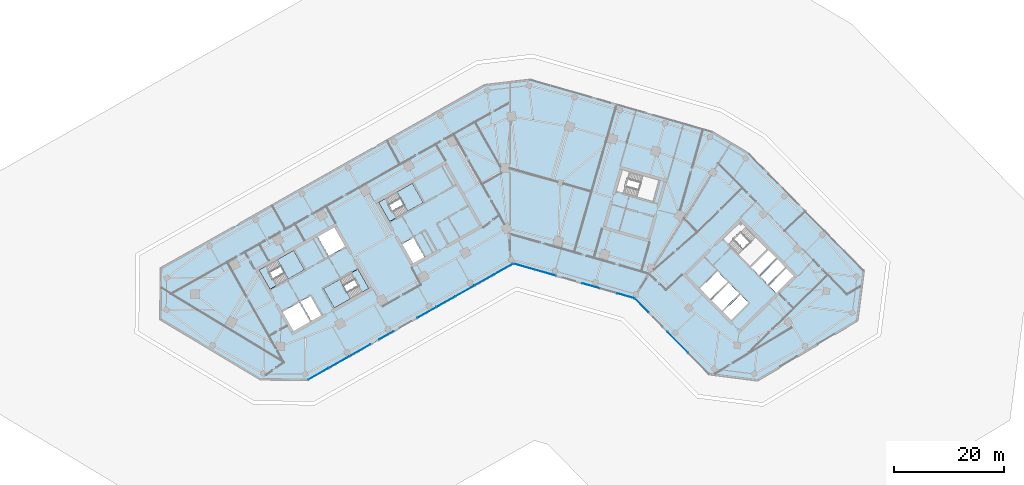
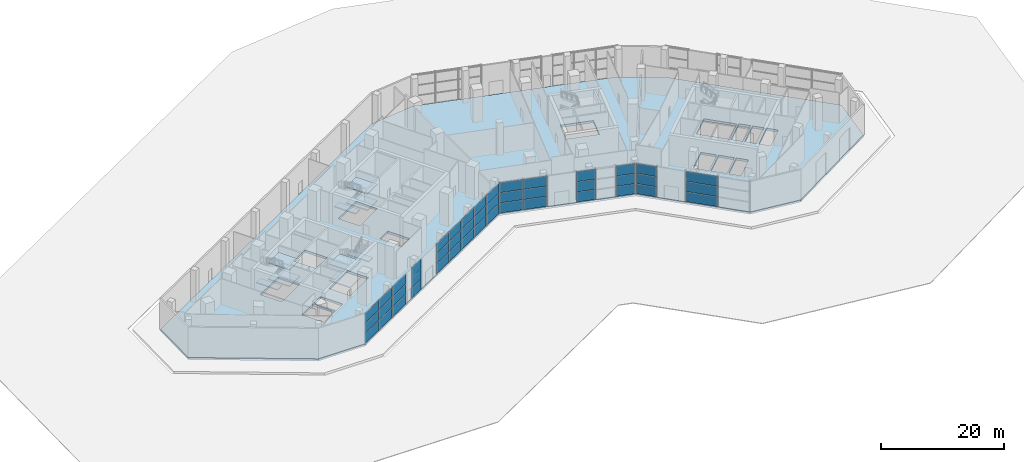
# One storey, part 10 of 22: 45 plates, 10 slabs, 10 elements without a shape of their own.
"""IFC4 building model written with IfcOpenShell, lengths in metres."""

from ifc_helpers import new_model, si_unit, direction, frame, origin, origin_2d, place, context, subcontext, project, spatial, polyline, rectangle, outline, extrude, material, layer, layer_set, type_object, element, aggregate, save


model = new_model("IFC4")

# Units and contexts
model_context = context("Model", 3, precision=1e-05, world=origin(), true_north=direction((0.0, 1.0)))
body_context = subcontext(model_context, "Body", "Model", "MODEL_VIEW")
ifc_project = project(units=[si_unit("LENGTHUNIT", "METRE"), si_unit("AREAUNIT", "SQUARE_METRE"), si_unit("VOLUMEUNIT", "CUBIC_METRE"), si_unit("PLANEANGLEUNIT", "RADIAN"), si_unit("MASSUNIT", "GRAM", prefix="KILO")], contexts=[model_context])

# Site, building, storey
site_placement = place(None, origin())
site = spatial("IfcSite", under=ifc_project, at=site_placement, CompositionType="ELEMENT")
building_placement = place(site_placement, origin())
building = spatial("IfcBuilding", under=site, at=building_placement, Name="Binnacle Exchange Tower", CompositionType="ELEMENT")
storey_placement = place(building_placement, origin())
storey = spatial("IfcBuildingStorey", under=building, at=storey_placement, Name="L00", CompositionType="ELEMENT", Elevation=0.0)

# Curtain wall, plates
ifc_material_1 = material(Name="Bronze anodised aluminium frame", Category="aluminium")
curtain_wall_type = type_object("IfcCurtainWallType", Name="External wall - curtain wall waterfront lobby", PredefinedType="NOTDEFINED", material=ifc_material_1)
curtain_wall_1_placement = place(storey_placement, origin())
curtain_wall_1 = element("IfcCurtainWall", 1, at=curtain_wall_1_placement, inside=storey, type_object=curtain_wall_type, Name="External wall curtain wall CW1-P06-1 L00", PredefinedType="NOTDEFINED")
ifc_material_2 = material(Name="Glass", Category="glass")
ifc_layer_1 = layer(ifc_material_2, 0.0439453125)
ifc_layer_set_1 = layer_set([ifc_layer_1], Name="CW1 GLASS PANEL 44")
plate_type = type_object("IfcPlateType", Name="CW1 GLASS PANEL 44", PredefinedType="CURTAIN_PANEL", material=ifc_layer_set_1)
plate_1_placement = place(storey_placement, frame((-34.95703125, 22.4775390625, 0.06005859375), z_axis=(0.0, 0.0, 1.0), x_axis=(0.870355581136, 0.492423763019, 0.0)))
plate_1 = element("IfcPlate", 2, at=plate_1_placement, type_object=plate_type, Name="CW1-P06-1 panel 1.1", PredefinedType="CURTAIN_PANEL", context=body_context, shape_type="SweptSolid", body=[
    extrude(rectangle(XDim=4.26904296875, YDim=0.0439453125, at=origin_2d()), origin(), (0.0, 0.0, 1.0), 1.9599609375),
])
plate_2_placement = place(storey_placement, frame((-34.95703125, 22.4775390625, 2.080078125), z_axis=(0.0, 0.0, 1.0), x_axis=(0.870355581136, 0.492423763019, 0.0)))
plate_2 = element("IfcPlate", 3, at=plate_2_placement, type_object=plate_type, Name="CW1-P06-1 panel 1.2", PredefinedType="CURTAIN_PANEL", context=body_context, shape_type="SweptSolid", body=[
    extrude(rectangle(XDim=4.26904296875, YDim=0.0439453125, at=origin_2d()), origin(), (0.0, 0.0, 1.0), 1.989990234375),
])
plate_3_placement = place(storey_placement, frame((-34.95703125, 22.4775390625, 4.130126953125), z_axis=(0.0, 0.0, 1.0), x_axis=(0.870355581136, 0.492423763019, 0.0)))
plate_3 = element("IfcPlate", 4, at=plate_3_placement, type_object=plate_type, Name="CW1-P06-1 panel 1.3", PredefinedType="CURTAIN_PANEL", context=body_context, shape_type="SweptSolid", body=[
    extrude(rectangle(XDim=4.26904296875, YDim=0.0439453125, at=origin_2d()), origin(), (0.0, 0.0, 1.0), 1.9599609375),
])
plate_4_placement = place(storey_placement, frame((-31.154296875, 24.62890625, 0.06005859375), z_axis=(0.0, 0.0, 1.0), x_axis=(0.870355581136, 0.492423763019, 0.0)))
plate_4 = element("IfcPlate", 5, at=plate_4_placement, type_object=plate_type, Name="CW1-P06-1 panel 2.1", PredefinedType="CURTAIN_PANEL", context=body_context, shape_type="SweptSolid", body=[
    extrude(rectangle(XDim=4.30908203125, YDim=0.0439453125, at=origin_2d()), origin(), (0.0, 0.0, 1.0), 1.9599609375),
])
plate_5_placement = place(storey_placement, frame((-31.154296875, 24.62890625, 2.080078125), z_axis=(0.0, 0.0, 1.0), x_axis=(0.870355581136, 0.492423763019, 0.0)))
plate_5 = element("IfcPlate", 6, at=plate_5_placement, type_object=plate_type, Name="CW1-P06-1 panel 2.2", PredefinedType="CURTAIN_PANEL", context=body_context, shape_type="SweptSolid", body=[
    extrude(rectangle(XDim=4.30908203125, YDim=0.0439453125, at=origin_2d()), origin(), (0.0, 0.0, 1.0), 1.989990234375),
])
plate_6_placement = place(storey_placement, frame((-31.154296875, 24.62890625, 4.130126953125), z_axis=(0.0, 0.0, 1.0), x_axis=(0.870355581136, 0.492423763019, 0.0)))
plate_6 = element("IfcPlate", 7, at=plate_6_placement, type_object=plate_type, Name="CW1-P06-1 panel 2.3", PredefinedType="CURTAIN_PANEL", context=body_context, shape_type="SweptSolid", body=[
    extrude(rectangle(XDim=4.30908203125, YDim=0.0439453125, at=origin_2d()), origin(), (0.0, 0.0, 1.0), 1.9599609375),
])
plate_7_placement = place(storey_placement, frame((-27.351806640625, 26.7802734375, 0.06005859375), z_axis=(0.0, 0.0, 1.0), x_axis=(0.870355581136, 0.492423763019, 0.0)))
plate_7 = element("IfcPlate", 8, at=plate_7_placement, type_object=plate_type, Name="CW1-P06-1 panel 3.1", PredefinedType="CURTAIN_PANEL", context=body_context, shape_type="SweptSolid", body=[
    extrude(rectangle(XDim=4.26904296875, YDim=0.0439453125, at=origin_2d()), origin(), (0.0, 0.0, 1.0), 1.9599609375),
])
plate_8_placement = place(storey_placement, frame((-27.351806640625, 26.7802734375, 2.080078125), z_axis=(0.0, 0.0, 1.0), x_axis=(0.870355581136, 0.492423763019, 0.0)))
plate_8 = element("IfcPlate", 9, at=plate_8_placement, type_object=plate_type, Name="CW1-P06-1 panel 3.2", PredefinedType="CURTAIN_PANEL", context=body_context, shape_type="SweptSolid", body=[
    extrude(rectangle(XDim=4.26904296875, YDim=0.0439453125, at=origin_2d()), origin(), (0.0, 0.0, 1.0), 1.989990234375),
])
plate_9_placement = place(storey_placement, frame((-27.351806640625, 26.7802734375, 4.130126953125), z_axis=(0.0, 0.0, 1.0), x_axis=(0.870355581136, 0.492423763019, 0.0)))
plate_9 = element("IfcPlate", 10, at=plate_9_placement, type_object=plate_type, Name="CW1-P06-1 panel 3.3", PredefinedType="CURTAIN_PANEL", context=body_context, shape_type="SweptSolid", body=[
    extrude(rectangle(XDim=4.26904296875, YDim=0.0439453125, at=origin_2d()), origin(), (0.0, 0.0, 1.0), 1.9599609375),
])
aggregate(curtain_wall_1, [plate_1, plate_2, plate_3, plate_4, plate_5, plate_6, plate_7, plate_8, plate_9])

curtain_wall_2_placement = place(storey_placement, origin())
curtain_wall_2 = element("IfcCurtainWall", 11, at=curtain_wall_2_placement, inside=storey, type_object=curtain_wall_type, Name="External wall curtain wall CW1-P06-2 L00", PredefinedType="NOTDEFINED")
plate_10_placement = place(storey_placement, frame((-22.485107421875, 29.53369140625, 0.06005859375), z_axis=(0.0, 0.0, 1.0), x_axis=(0.870355581222, 0.492423762867, 0.0)))
plate_10 = element("IfcPlate", 12, at=plate_10_placement, type_object=plate_type, Name="CW1-P06-2 panel 1.1", PredefinedType="CURTAIN_PANEL", context=body_context, shape_type="SweptSolid", body=[
    extrude(rectangle(XDim=2.994140625, YDim=0.0439453125, at=origin_2d()), origin(), (0.0, 0.0, 1.0), 1.9599609375),
])
plate_11_placement = place(storey_placement, frame((-22.485107421875, 29.53369140625, 2.080078125), z_axis=(0.0, 0.0, 1.0), x_axis=(0.870355581222, 0.492423762867, 0.0)))
plate_11 = element("IfcPlate", 13, at=plate_11_placement, type_object=plate_type, Name="CW1-P06-2 panel 1.2", PredefinedType="CURTAIN_PANEL", context=body_context, shape_type="SweptSolid", body=[
    extrude(rectangle(XDim=2.994140625, YDim=0.0439453125, at=origin_2d()), origin(), (0.0, 0.0, 1.0), 1.989990234375),
])
plate_12_placement = place(storey_placement, frame((-22.485107421875, 29.53369140625, 4.130126953125), z_axis=(0.0, 0.0, 1.0), x_axis=(0.870355581222, 0.492423762867, 0.0)))
plate_12 = element("IfcPlate", 14, at=plate_12_placement, type_object=plate_type, Name="CW1-P06-2 panel 1.3", PredefinedType="CURTAIN_PANEL", context=body_context, shape_type="SweptSolid", body=[
    extrude(rectangle(XDim=2.994140625, YDim=0.0439453125, at=origin_2d()), origin(), (0.0, 0.0, 1.0), 1.9599609375),
])
aggregate(curtain_wall_2, [plate_10, plate_11, plate_12])

curtain_wall_3_placement = place(storey_placement, origin())
curtain_wall_3 = element("IfcCurtainWall", 15, at=curtain_wall_3_placement, inside=storey, type_object=curtain_wall_type, Name="External wall curtain wall CW1-P06-3 L00", PredefinedType="NOTDEFINED")
plate_13_placement = place(storey_placement, frame((-15.16455078125, 33.675537109375, 0.06005859375), z_axis=(0.0, 0.0, 1.0), x_axis=(0.870355581144, 0.492423763004, 0.0)))
plate_13 = element("IfcPlate", 16, at=plate_13_placement, type_object=plate_type, Name="CW1-P06-3 panel 1.1", PredefinedType="CURTAIN_PANEL", context=body_context, shape_type="SweptSolid", body=[
    extrude(rectangle(XDim=3.907470703125, YDim=0.0439453125, at=origin_2d()), origin(), (0.0, 0.0, 1.0), 1.9599609375),
])
plate_14_placement = place(storey_placement, frame((-15.16455078125, 33.675537109375, 2.080078125), z_axis=(0.0, 0.0, 1.0), x_axis=(0.870355581144, 0.492423763004, 0.0)))
plate_14 = element("IfcPlate", 17, at=plate_14_placement, type_object=plate_type, Name="CW1-P06-3 panel 1.2", PredefinedType="CURTAIN_PANEL", context=body_context, shape_type="SweptSolid", body=[
    extrude(rectangle(XDim=3.907470703125, YDim=0.0439453125, at=origin_2d()), origin(), (0.0, 0.0, 1.0), 1.989990234375),
])
plate_15_placement = place(storey_placement, frame((-15.16455078125, 33.675537109375, 4.130126953125), z_axis=(0.0, 0.0, 1.0), x_axis=(0.870355581144, 0.492423763004, 0.0)))
plate_15 = element("IfcPlate", 18, at=plate_15_placement, type_object=plate_type, Name="CW1-P06-3 panel 1.3", PredefinedType="CURTAIN_PANEL", context=body_context, shape_type="SweptSolid", body=[
    extrude(rectangle(XDim=3.907470703125, YDim=0.0439453125, at=origin_2d()), origin(), (0.0, 0.0, 1.0), 1.9599609375),
])
plate_16_placement = place(storey_placement, frame((-11.6767578125, 35.648681640625, 0.06005859375), z_axis=(0.0, 0.0, 1.0), x_axis=(0.870355581144, 0.492423763004, 0.0)))
plate_16 = element("IfcPlate", 19, at=plate_16_placement, type_object=plate_type, Name="CW1-P06-3 panel 2.1", PredefinedType="CURTAIN_PANEL", context=body_context, shape_type="SweptSolid", body=[
    extrude(rectangle(XDim=3.947509765625, YDim=0.0439453125, at=origin_2d()), origin(), (0.0, 0.0, 1.0), 1.9599609375),
])
plate_17_placement = place(storey_placement, frame((-11.6767578125, 35.648681640625, 2.080078125), z_axis=(0.0, 0.0, 1.0), x_axis=(0.870355581144, 0.492423763004, 0.0)))
plate_17 = element("IfcPlate", 20, at=plate_17_placement, type_object=plate_type, Name="CW1-P06-3 panel 2.2", PredefinedType="CURTAIN_PANEL", context=body_context, shape_type="SweptSolid", body=[
    extrude(rectangle(XDim=3.947509765625, YDim=0.0439453125, at=origin_2d()), origin(), (0.0, 0.0, 1.0), 1.989990234375),
])
plate_18_placement = place(storey_placement, frame((-11.6767578125, 35.648681640625, 4.130126953125), z_axis=(0.0, 0.0, 1.0), x_axis=(0.870355581144, 0.492423763004, 0.0)))
plate_18 = element("IfcPlate", 21, at=plate_18_placement, type_object=plate_type, Name="CW1-P06-3 panel 2.3", PredefinedType="CURTAIN_PANEL", context=body_context, shape_type="SweptSolid", body=[
    extrude(rectangle(XDim=3.947509765625, YDim=0.0439453125, at=origin_2d()), origin(), (0.0, 0.0, 1.0), 1.9599609375),
])
plate_19_placement = place(storey_placement, frame((-8.171630859375, 37.6318359375, 0.06005859375), z_axis=(0.0, 0.0, 1.0), x_axis=(0.870355581144, 0.492423763004, 0.0)))
plate_19 = element("IfcPlate", 22, at=plate_19_placement, type_object=plate_type, Name="CW1-P06-3 panel 3.1", PredefinedType="CURTAIN_PANEL", context=body_context, shape_type="SweptSolid", body=[
    extrude(rectangle(XDim=3.947509765625, YDim=0.0439453125, at=origin_2d()), origin(), (0.0, 0.0, 1.0), 1.9599609375),
])
plate_20_placement = place(storey_placement, frame((-8.171630859375, 37.6318359375, 2.080078125), z_axis=(0.0, 0.0, 1.0), x_axis=(0.870355581144, 0.492423763004, 0.0)))
plate_20 = element("IfcPlate", 23, at=plate_20_placement, type_object=plate_type, Name="CW1-P06-3 panel 3.2", PredefinedType="CURTAIN_PANEL", context=body_context, shape_type="SweptSolid", body=[
    extrude(rectangle(XDim=3.947509765625, YDim=0.0439453125, at=origin_2d()), origin(), (0.0, 0.0, 1.0), 1.989990234375),
])
plate_21_placement = place(storey_placement, frame((-8.171630859375, 37.6318359375, 4.130126953125), z_axis=(0.0, 0.0, 1.0), x_axis=(0.870355581144, 0.492423763004, 0.0)))
plate_21 = element("IfcPlate", 24, at=plate_21_placement, type_object=plate_type, Name="CW1-P06-3 panel 3.3", PredefinedType="CURTAIN_PANEL", context=body_context, shape_type="SweptSolid", body=[
    extrude(rectangle(XDim=3.947509765625, YDim=0.0439453125, at=origin_2d()), origin(), (0.0, 0.0, 1.0), 1.9599609375),
])
plate_22_placement = place(storey_placement, frame((-4.666259765625, 39.615234375, 0.06005859375), z_axis=(0.0, 0.0, 1.0), x_axis=(0.870355581144, 0.492423763004, 0.0)))
plate_22 = element("IfcPlate", 25, at=plate_22_placement, type_object=plate_type, Name="CW1-P06-3 panel 4.1", PredefinedType="CURTAIN_PANEL", context=body_context, shape_type="SweptSolid", body=[
    extrude(rectangle(XDim=3.947509765625, YDim=0.0439453125, at=origin_2d()), origin(), (0.0, 0.0, 1.0), 1.9599609375),
])
plate_23_placement = place(storey_placement, frame((-4.666259765625, 39.615234375, 2.080078125), z_axis=(0.0, 0.0, 1.0), x_axis=(0.870355581144, 0.492423763004, 0.0)))
plate_23 = element("IfcPlate", 26, at=plate_23_placement, type_object=plate_type, Name="CW1-P06-3 panel 4.2", PredefinedType="CURTAIN_PANEL", context=body_context, shape_type="SweptSolid", body=[
    extrude(rectangle(XDim=3.947509765625, YDim=0.0439453125, at=origin_2d()), origin(), (0.0, 0.0, 1.0), 1.989990234375),
])
plate_24_placement = place(storey_placement, frame((-4.666259765625, 39.615234375, 4.130126953125), z_axis=(0.0, 0.0, 1.0), x_axis=(0.870355581144, 0.492423763004, 0.0)))
plate_24 = element("IfcPlate", 27, at=plate_24_placement, type_object=plate_type, Name="CW1-P06-3 panel 4.3", PredefinedType="CURTAIN_PANEL", context=body_context, shape_type="SweptSolid", body=[
    extrude(rectangle(XDim=3.947509765625, YDim=0.0439453125, at=origin_2d()), origin(), (0.0, 0.0, 1.0), 1.9599609375),
])
plate_25_placement = place(storey_placement, frame((-1.178466796875, 41.58837890625, 0.06005859375), z_axis=(0.0, 0.0, 1.0), x_axis=(0.870355581144, 0.492423763004, 0.0)))
plate_25 = element("IfcPlate", 28, at=plate_25_placement, type_object=plate_type, Name="CW1-P06-3 panel 5.1", PredefinedType="CURTAIN_PANEL", context=body_context, shape_type="SweptSolid", body=[
    extrude(rectangle(XDim=3.907470703125, YDim=0.0439453125, at=origin_2d()), origin(), (0.0, 0.0, 1.0), 1.9599609375),
])
plate_26_placement = place(storey_placement, frame((-1.178466796875, 41.58837890625, 2.080078125), z_axis=(0.0, 0.0, 1.0), x_axis=(0.870355581144, 0.492423763004, 0.0)))
plate_26 = element("IfcPlate", 29, at=plate_26_placement, type_object=plate_type, Name="CW1-P06-3 panel 5.2", PredefinedType="CURTAIN_PANEL", context=body_context, shape_type="SweptSolid", body=[
    extrude(rectangle(XDim=3.907470703125, YDim=0.0439453125, at=origin_2d()), origin(), (0.0, 0.0, 1.0), 1.989990234375),
])
plate_27_placement = place(storey_placement, frame((-1.178466796875, 41.58837890625, 4.130126953125), z_axis=(0.0, 0.0, 1.0), x_axis=(0.870355581144, 0.492423763004, 0.0)))
plate_27 = element("IfcPlate", 30, at=plate_27_placement, type_object=plate_type, Name="CW1-P06-3 panel 5.3", PredefinedType="CURTAIN_PANEL", context=body_context, shape_type="SweptSolid", body=[
    extrude(rectangle(XDim=3.907470703125, YDim=0.0439453125, at=origin_2d()), origin(), (0.0, 0.0, 1.0), 1.9599609375),
])
aggregate(curtain_wall_3, [plate_13, plate_14, plate_15, plate_16, plate_17, plate_18, plate_19, plate_20, plate_21, plate_22, plate_23, plate_24, plate_25, plate_26, plate_27])

curtain_wall_4_placement = place(storey_placement, origin())
curtain_wall_4 = element("IfcCurtainWall", 31, at=curtain_wall_4_placement, inside=storey, type_object=curtain_wall_type, Name="External wall curtain wall CW1-P07-1 L00", PredefinedType="NOTDEFINED")
plate_28_placement = place(storey_placement, frame((2.65625, 42.036865234375, 0.06005859375), z_axis=(0.0, 0.0, 1.0), x_axis=(0.961261813316, -0.275636946471, 0.0)))
plate_28 = element("IfcPlate", 32, at=plate_28_placement, type_object=plate_type, Name="CW1-P07-1 panel 1.1", PredefinedType="CURTAIN_PANEL", context=body_context, shape_type="SweptSolid", body=[
    extrude(rectangle(XDim=3.935546875, YDim=0.0439453125, at=origin_2d()), origin(), (0.0, 0.0, 1.0), 1.9599609375),
])
plate_29_placement = place(storey_placement, frame((2.65625, 42.036865234375, 2.080078125), z_axis=(0.0, 0.0, 1.0), x_axis=(0.961261813316, -0.275636946471, 0.0)))
plate_29 = element("IfcPlate", 33, at=plate_29_placement, type_object=plate_type, Name="CW1-P07-1 panel 1.2", PredefinedType="CURTAIN_PANEL", context=body_context, shape_type="SweptSolid", body=[
    extrude(rectangle(XDim=3.935546875, YDim=0.0439453125, at=origin_2d()), origin(), (0.0, 0.0, 1.0), 1.989990234375),
])
plate_30_placement = place(storey_placement, frame((2.65625, 42.036865234375, 4.130126953125), z_axis=(0.0, 0.0, 1.0), x_axis=(0.961261813316, -0.275636946471, 0.0)))
plate_30 = element("IfcPlate", 34, at=plate_30_placement, type_object=plate_type, Name="CW1-P07-1 panel 1.3", PredefinedType="CURTAIN_PANEL", context=body_context, shape_type="SweptSolid", body=[
    extrude(rectangle(XDim=3.935546875, YDim=0.0439453125, at=origin_2d()), origin(), (0.0, 0.0, 1.0), 1.9599609375),
])
plate_31_placement = place(storey_placement, frame((6.516357421875, 40.929931640625, 0.06005859375), z_axis=(0.0, 0.0, 1.0), x_axis=(0.961261813316, -0.275636946471, 0.0)))
plate_31 = element("IfcPlate", 35, at=plate_31_placement, type_object=plate_type, Name="CW1-P07-1 panel 2.1", PredefinedType="CURTAIN_PANEL", context=body_context, shape_type="SweptSolid", body=[
    extrude(rectangle(XDim=3.935546875, YDim=0.0439453125, at=origin_2d()), origin(), (0.0, 0.0, 1.0), 1.9599609375),
])
plate_32_placement = place(storey_placement, frame((6.516357421875, 40.929931640625, 2.080078125), z_axis=(0.0, 0.0, 1.0), x_axis=(0.961261813316, -0.275636946471, 0.0)))
plate_32 = element("IfcPlate", 36, at=plate_32_placement, type_object=plate_type, Name="CW1-P07-1 panel 2.2", PredefinedType="CURTAIN_PANEL", context=body_context, shape_type="SweptSolid", body=[
    extrude(rectangle(XDim=3.935546875, YDim=0.0439453125, at=origin_2d()), origin(), (0.0, 0.0, 1.0), 1.989990234375),
])
plate_33_placement = place(storey_placement, frame((6.516357421875, 40.929931640625, 4.130126953125), z_axis=(0.0, 0.0, 1.0), x_axis=(0.961261813316, -0.275636946471, 0.0)))
plate_33 = element("IfcPlate", 37, at=plate_33_placement, type_object=plate_type, Name="CW1-P07-1 panel 2.3", PredefinedType="CURTAIN_PANEL", context=body_context, shape_type="SweptSolid", body=[
    extrude(rectangle(XDim=3.935546875, YDim=0.0439453125, at=origin_2d()), origin(), (0.0, 0.0, 1.0), 1.9599609375),
])
aggregate(curtain_wall_4, [plate_28, plate_29, plate_30, plate_31, plate_32, plate_33])

curtain_wall_5_placement = place(storey_placement, origin())
curtain_wall_5 = element("IfcCurtainWall", 38, at=curtain_wall_5_placement, inside=storey, type_object=curtain_wall_type, Name="External wall curtain wall CW1-P07-2 L00", PredefinedType="NOTDEFINED")
plate_34_placement = place(storey_placement, frame((14.728271484375, 38.5751953125, 0.06005859375), z_axis=(0.0, 0.0, 1.0), x_axis=(0.961261813326, -0.275636946437, 0.0)))
plate_34 = element("IfcPlate", 39, at=plate_34_placement, type_object=plate_type, Name="CW1-P07-2 panel 1.1", PredefinedType="CURTAIN_PANEL", context=body_context, shape_type="SweptSolid", body=[
    extrude(rectangle(XDim=3.23046875, YDim=0.0439453125, at=origin_2d()), origin(), (0.0, 0.0, 1.0), 1.9599609375),
])
plate_35_placement = place(storey_placement, frame((14.728271484375, 38.5751953125, 2.080078125), z_axis=(0.0, 0.0, 1.0), x_axis=(0.961261813326, -0.275636946437, 0.0)))
plate_35 = element("IfcPlate", 40, at=plate_35_placement, type_object=plate_type, Name="CW1-P07-2 panel 1.2", PredefinedType="CURTAIN_PANEL", context=body_context, shape_type="SweptSolid", body=[
    extrude(rectangle(XDim=3.23046875, YDim=0.0439453125, at=origin_2d()), origin(), (0.0, 0.0, 1.0), 1.989990234375),
])
plate_36_placement = place(storey_placement, frame((14.728271484375, 38.5751953125, 4.130126953125), z_axis=(0.0, 0.0, 1.0), x_axis=(0.961261813326, -0.275636946437, 0.0)))
plate_36 = element("IfcPlate", 41, at=plate_36_placement, type_object=plate_type, Name="CW1-P07-2 panel 1.3", PredefinedType="CURTAIN_PANEL", context=body_context, shape_type="SweptSolid", body=[
    extrude(rectangle(XDim=3.23046875, YDim=0.0439453125, at=origin_2d()), origin(), (0.0, 0.0, 1.0), 1.9599609375),
])
plate_37_placement = place(storey_placement, frame((21.13134765625, 36.7392578125, 0.06005859375), z_axis=(0.0, 0.0, 1.0), x_axis=(0.961261813326, -0.275636946437, 0.0)))
plate_37 = element("IfcPlate", 42, at=plate_37_placement, type_object=plate_type, Name="CW1-P07-2 panel 3.1", PredefinedType="CURTAIN_PANEL", context=body_context, shape_type="SweptSolid", body=[
    extrude(rectangle(XDim=3.23046875, YDim=0.0439453125, at=origin_2d()), origin(), (0.0, 0.0, 1.0), 1.9599609375),
])
plate_38_placement = place(storey_placement, frame((21.13134765625, 36.7392578125, 2.080078125), z_axis=(0.0, 0.0, 1.0), x_axis=(0.961261813326, -0.275636946437, 0.0)))
plate_38 = element("IfcPlate", 43, at=plate_38_placement, type_object=plate_type, Name="CW1-P07-2 panel 3.2", PredefinedType="CURTAIN_PANEL", context=body_context, shape_type="SweptSolid", body=[
    extrude(rectangle(XDim=3.23046875, YDim=0.0439453125, at=origin_2d()), origin(), (0.0, 0.0, 1.0), 1.989990234375),
])
plate_39_placement = place(storey_placement, frame((21.13134765625, 36.7392578125, 4.130126953125), z_axis=(0.0, 0.0, 1.0), x_axis=(0.961261813326, -0.275636946437, 0.0)))
plate_39 = element("IfcPlate", 44, at=plate_39_placement, type_object=plate_type, Name="CW1-P07-2 panel 3.3", PredefinedType="CURTAIN_PANEL", context=body_context, shape_type="SweptSolid", body=[
    extrude(rectangle(XDim=3.23046875, YDim=0.0439453125, at=origin_2d()), origin(), (0.0, 0.0, 1.0), 1.9599609375),
])
aggregate(curtain_wall_5, [plate_34, plate_35, plate_36, plate_37, plate_38, plate_39])

curtain_wall_6_placement = place(storey_placement, origin())
curtain_wall_6 = element("IfcCurtainWall", 45, at=curtain_wall_6_placement, inside=storey, type_object=curtain_wall_type, Name="External wall curtain wall CW1-P08-1 L00", PredefinedType="NOTDEFINED")
plate_40_placement = place(storey_placement, frame((24.079833984375, 34.952880859375, 0.06005859375), z_axis=(0.0, 0.0, 1.0), x_axis=(0.700909354452, -0.713250360562, 0.0)))
plate_40 = element("IfcPlate", 46, at=plate_40_placement, type_object=plate_type, Name="CW1-P08-1 panel 1.1", PredefinedType="CURTAIN_PANEL", context=body_context, shape_type="SweptSolid", body=[
    extrude(rectangle(XDim=3.447265625, YDim=0.0439453125, at=origin_2d()), origin(), (0.0, 0.0, 1.0), 1.9599609375),
])
plate_41_placement = place(storey_placement, frame((24.079833984375, 34.952880859375, 2.080078125), z_axis=(0.0, 0.0, 1.0), x_axis=(0.700909354452, -0.713250360562, 0.0)))
plate_41 = element("IfcPlate", 47, at=plate_41_placement, type_object=plate_type, Name="CW1-P08-1 panel 1.2", PredefinedType="CURTAIN_PANEL", context=body_context, shape_type="SweptSolid", body=[
    extrude(rectangle(XDim=3.447265625, YDim=0.0439453125, at=origin_2d()), origin(), (0.0, 0.0, 1.0), 1.989990234375),
])
plate_42_placement = place(storey_placement, frame((24.079833984375, 34.952880859375, 4.130126953125), z_axis=(0.0, 0.0, 1.0), x_axis=(0.700909354452, -0.713250360562, 0.0)))
plate_42 = element("IfcPlate", 48, at=plate_42_placement, type_object=plate_type, Name="CW1-P08-1 panel 1.3", PredefinedType="CURTAIN_PANEL", context=body_context, shape_type="SweptSolid", body=[
    extrude(rectangle(XDim=3.447265625, YDim=0.0439453125, at=origin_2d()), origin(), (0.0, 0.0, 1.0), 1.9599609375),
])
aggregate(curtain_wall_6, [plate_40, plate_41, plate_42])

curtain_wall_7_placement = place(storey_placement, origin())
curtain_wall_7 = element("IfcCurtainWall", 49, at=curtain_wall_7_placement, inside=storey, type_object=curtain_wall_type, Name="External wall curtain wall CW1-P08-2 L00", PredefinedType="NOTDEFINED")
plate_43_placement = place(storey_placement, frame((30.644775390625, 28.272216796875, 0.06005859375), z_axis=(0.0, 0.0, 1.0), x_axis=(0.700909354378, -0.713250360635, 0.0)))
plate_43 = element("IfcPlate", 50, at=plate_43_placement, type_object=plate_type, Name="CW1-P08-2 panel 1.1", PredefinedType="CURTAIN_PANEL", context=body_context, shape_type="SweptSolid", body=[
    extrude(rectangle(XDim=5.365966796875, YDim=0.0439453125, at=origin_2d()), origin(), (0.0, 0.0, 1.0), 1.9599609375),
])
plate_44_placement = place(storey_placement, frame((30.644775390625, 28.272216796875, 2.080078125), z_axis=(0.0, 0.0, 1.0), x_axis=(0.700909354378, -0.713250360635, 0.0)))
plate_44 = element("IfcPlate", 51, at=plate_44_placement, type_object=plate_type, Name="CW1-P08-2 panel 1.2", PredefinedType="CURTAIN_PANEL", context=body_context, shape_type="SweptSolid", body=[
    extrude(rectangle(XDim=5.365966796875, YDim=0.0439453125, at=origin_2d()), origin(), (0.0, 0.0, 1.0), 1.989990234375),
])
plate_45_placement = place(storey_placement, frame((30.644775390625, 28.272216796875, 4.130126953125), z_axis=(0.0, 0.0, 1.0), x_axis=(0.700909354378, -0.713250360635, 0.0)))
plate_45 = element("IfcPlate", 52, at=plate_45_placement, type_object=plate_type, Name="CW1-P08-2 panel 1.3", PredefinedType="CURTAIN_PANEL", context=body_context, shape_type="SweptSolid", body=[
    extrude(rectangle(XDim=5.365966796875, YDim=0.0439453125, at=origin_2d()), origin(), (0.0, 0.0, 1.0), 1.9599609375),
])
aggregate(curtain_wall_7, [plate_43, plate_44, plate_45])

# Slab
ifc_material_3 = material(Name="Concrete C35/45", Category="concrete")
ifc_layer_2 = layer(ifc_material_3, 0.449951171875)
ifc_layer_set_2 = layer_set([ifc_layer_2], Name="Floor slab 450 Concrete C35/45")
slab_type_1 = type_object("IfcSlabType", Name="Floor slab 450 Concrete C35/45", PredefinedType="FLOOR", material=ifc_layer_set_2)
slab_1_placement = place(storey_placement, frame((0.0, 0.0, -0.449951171875)))
element("IfcSlab", 53, at=slab_1_placement, inside=storey, type_object=slab_type_1, Name="S:SL:L00:01", PredefinedType="FLOOR", context=body_context, shape_type="SweptSolid", body=[
    extrude(outline(polyline([(64.52880859375, 41.35400390625), (63.369873046875, 32.243408203125), (45.233154296875, 21.345703125), (36.33984375, 22.47705078125), (22.79248046875, 36.2626953125), (0.63720703125, 42.61572265625), (-36.81201171875, 21.427978515625), (-45.560791015625, 21.54248046875), (-63.753173828125, 32.4736328125), (-63.6318359375, 41.74365234375), (-4.6328125, 75.12353515625), (3.775634765625, 76.118896484375), (36.7900390625, 66.652099609375), (43.719970703125, 62.529296875), (64.52880859375, 41.35400390625)]), holes=[polyline([(-38.4794921875, 35.529296875), (-41.61279296875, 33.756591796875), (-39.544677734375, 30.10107421875), (-36.411376953125, 31.873779296875), (-38.4794921875, 35.529296875)]), polyline([(-34.322509765625, 33.0556640625), (-36.390625, 36.711181640625), (-38.21826171875, 35.677001953125), (-36.150146484375, 32.021484375), (-34.322509765625, 33.0556640625)]), polyline([(-34.040771484375, 38.04052734375), (-32.04638671875, 34.515625), (-26.9287109375, 37.4111328125), (-28.923095703125, 40.93603515625), (-34.040771484375, 38.04052734375)]), polyline([(-37.486572265625, 41.4912109375), (-39.480712890625, 45.01611328125), (-44.598388671875, 42.12060546875), (-42.604248046875, 38.595703125), (-37.486572265625, 41.4912109375)]), polyline([(-15.53076171875, 43.6875), (-17.598876953125, 47.343017578125), (-19.77490234375, 46.11181640625), (-17.70654296875, 42.456298828125), (-15.53076171875, 43.6875)]), polyline([(-29.914306640625, 45.775390625), (-31.982666015625, 49.430908203125), (-35.115966796875, 47.657958984375), (-33.047607421875, 44.00244140625), (-29.914306640625, 45.775390625)]), polyline([(-15.822509765625, 53.748046875), (-17.81689453125, 57.27294921875), (-22.760498046875, 54.47607421875), (-20.76611328125, 50.950927734375), (-15.822509765625, 53.748046875)]), polyline([(26.111328125, 53.9169921875), (27.227783203125, 57.810302734375), (21.864013671875, 59.348388671875), (20.74755859375, 55.455078125), (26.111328125, 53.9169921875)]), polyline([(40.268798828125, 32.201904296875), (43.549560546875, 35.426025390625), (42.07763671875, 36.923828125), (38.796875, 33.69970703125), (40.268798828125, 32.201904296875)]), polyline([(38.58642578125, 33.913818359375), (41.867431640625, 37.137939453125), (39.97509765625, 39.063720703125), (36.694091796875, 35.83935546875), (38.58642578125, 33.913818359375)]), polyline([(36.48388671875, 36.053466796875), (39.7646484375, 39.277587890625), (37.872314453125, 41.203369140625), (34.59130859375, 37.979248046875), (36.48388671875, 36.053466796875)]), polyline([(48.726806640625, 37.148681640625), (52.0078125, 40.372802734375), (50.577880859375, 41.827880859375), (47.296875, 38.603759765625), (48.726806640625, 37.148681640625)]), polyline([(47.086669921875, 38.817626953125), (50.36767578125, 42.0419921875), (48.944580078125, 43.48974609375), (45.663818359375, 40.265625), (47.086669921875, 38.817626953125)]), polyline([(45.45361328125, 40.4794921875), (48.734375, 43.703857421875), (47.3115234375, 45.151611328125), (44.030517578125, 41.927490234375), (45.45361328125, 40.4794921875)]), polyline([(43.8203125, 42.141357421875), (46.994384765625, 45.260498046875), (43.083251953125, 49.240478515625), (39.9091796875, 46.121337890625), (43.8203125, 42.141357421875)])]), origin(), (0.0, 0.0, 1.0), 0.449951171875),
])

# Stair, slabs
stair_type = type_object("IfcStairType", Name="STAIR 40 RISERS 162", PredefinedType="HALF_TURN_STAIR", material=ifc_material_3)
stair_1_placement = place(storey_placement, origin())
stair_1 = element("IfcStair", 54, at=stair_1_placement, inside=storey, type_object=stair_type, Name="L00 Escape stair A1", PredefinedType="HALF_TURN_STAIR")
ifc_layer_3 = layer(ifc_material_3, 0.199951171875)
ifc_layer_set_3 = layer_set([ifc_layer_3], Name="STAIR LANDING 200")
slab_type_2 = type_object("IfcSlabType", Name="STAIR LANDING 200", PredefinedType="LANDING", material=ifc_layer_set_3)
slab_2_placement = place(storey_placement, frame((0.0, 0.0, 1.425048828125)))
slab_2 = element("IfcSlab", 55, at=slab_2_placement, type_object=slab_type_2, Name="STA1 landing 1", PredefinedType="LANDING", context=body_context, shape_type="SweptSolid", body=[
    extrude(outline(polyline([(-40.44580078125, 39.81689453125), (-37.486572265625, 41.4912109375), (-39.48095703125, 45.01611328125), (-42.43994140625, 43.341796875), (-40.44580078125, 39.81689453125)])), origin(), (0.0, 0.0, 1.0), 0.199951171875),
])
slab_3_placement = place(storey_placement, frame((0.0, 0.0, 3.050048828125)))
slab_3 = element("IfcSlab", 56, at=slab_3_placement, type_object=slab_type_2, Name="STA1 landing 2", PredefinedType="LANDING", context=body_context, shape_type="SweptSolid", body=[
    extrude(outline(polyline([(-43.796630859375, 37.921142578125), (-42.604248046875, 38.595703125), (-44.5986328125, 42.12060546875), (-45.791015625, 41.446044921875), (-43.796630859375, 37.921142578125)])), origin(), (0.0, 0.0, 1.0), 0.199951171875),
])
slab_4_placement = place(storey_placement, frame((0.0, 0.0, 4.675048828125)))
slab_4 = element("IfcSlab", 57, at=slab_4_placement, type_object=slab_type_2, Name="STA1 landing 3", PredefinedType="LANDING", context=body_context, shape_type="SweptSolid", body=[
    extrude(outline(polyline([(-40.44580078125, 39.81689453125), (-37.486572265625, 41.4912109375), (-39.48095703125, 45.01611328125), (-42.43994140625, 43.341796875), (-40.44580078125, 39.81689453125)])), origin(), (0.0, 0.0, 1.0), 0.199951171875),
])
aggregate(stair_1, [slab_2, slab_3, slab_4])

stair_2_placement = place(storey_placement, origin())
stair_2 = element("IfcStair", 58, at=stair_2_placement, inside=storey, type_object=stair_type, Name="L00 Escape stair A2", PredefinedType="HALF_TURN_STAIR")
slab_5_placement = place(storey_placement, frame((0.0, 0.0, 1.425048828125)))
slab_5 = element("IfcSlab", 59, at=slab_5_placement, type_object=slab_type_2, Name="STA2 landing 1", PredefinedType="LANDING", context=body_context, shape_type="SweptSolid", body=[
    extrude(outline(polyline([(-31.08154296875, 39.71484375), (-34.040771484375, 38.04052734375), (-32.04638671875, 34.515625), (-29.087158203125, 36.18994140625), (-31.08154296875, 39.71484375)])), origin(), (0.0, 0.0, 1.0), 0.199951171875),
])
slab_6_placement = place(storey_placement, frame((0.0, 0.0, 3.050048828125)))
slab_6 = element("IfcSlab", 60, at=slab_6_placement, type_object=slab_type_2, Name="STA2 landing 2", PredefinedType="LANDING", context=body_context, shape_type="SweptSolid", body=[
    extrude(outline(polyline([(-27.730712890625, 41.610595703125), (-28.923095703125, 40.93603515625), (-26.9287109375, 37.4111328125), (-25.736328125, 38.085693359375), (-27.730712890625, 41.610595703125)])), origin(), (0.0, 0.0, 1.0), 0.199951171875),
])
slab_7_placement = place(storey_placement, frame((0.0, 0.0, 4.675048828125)))
slab_7 = element("IfcSlab", 61, at=slab_7_placement, type_object=slab_type_2, Name="STA2 landing 3", PredefinedType="LANDING", context=body_context, shape_type="SweptSolid", body=[
    extrude(outline(polyline([(-31.08154296875, 39.71484375), (-34.040771484375, 38.04052734375), (-32.04638671875, 34.515625), (-29.087158203125, 36.18994140625), (-31.08154296875, 39.71484375)])), origin(), (0.0, 0.0, 1.0), 0.199951171875),
])
aggregate(stair_2, [slab_5, slab_6, slab_7])

stair_3_placement = place(storey_placement, origin())
stair_3 = element("IfcStair", 62, at=stair_3_placement, inside=storey, type_object=stair_type, Name="L00 Escape stair C1", PredefinedType="HALF_TURN_STAIR")
slab_8_placement = place(storey_placement, frame((0.0, 0.0, 1.425048828125)))
slab_8 = element("IfcSlab", 63, at=slab_8_placement, type_object=slab_type_2, Name="STC1 landing 1", PredefinedType="LANDING", context=body_context, shape_type="SweptSolid", body=[
    extrude(outline(polyline([(-18.607666015625, 52.172119140625), (-15.822509765625, 53.748046875), (-17.81689453125, 57.27294921875), (-20.60205078125, 55.697265625), (-18.607666015625, 52.172119140625)])), origin(), (0.0, 0.0, 1.0), 0.199951171875),
])
slab_9_placement = place(storey_placement, frame((0.0, 0.0, 3.050048828125)))
slab_9 = element("IfcSlab", 64, at=slab_9_placement, type_object=slab_type_2, Name="STC1 landing 2", PredefinedType="LANDING", context=body_context, shape_type="SweptSolid", body=[
    extrude(outline(polyline([(-21.95849609375, 50.2763671875), (-20.76611328125, 50.950927734375), (-22.760498046875, 54.47607421875), (-23.952880859375, 53.80126953125), (-21.95849609375, 50.2763671875)])), origin(), (0.0, 0.0, 1.0), 0.199951171875),
])
slab_10_placement = place(storey_placement, frame((0.0, 0.0, 4.675048828125)))
slab_10 = element("IfcSlab", 65, at=slab_10_placement, type_object=slab_type_2, Name="STC1 landing 3", PredefinedType="LANDING", context=body_context, shape_type="SweptSolid", body=[
    extrude(outline(polyline([(-18.607666015625, 52.172119140625), (-15.822509765625, 53.748046875), (-17.81689453125, 57.27294921875), (-20.60205078125, 55.697265625), (-18.607666015625, 52.172119140625)])), origin(), (0.0, 0.0, 1.0), 0.199951171875),
])
aggregate(stair_3, [slab_8, slab_9, slab_10])

save(model, "model.ifc")
